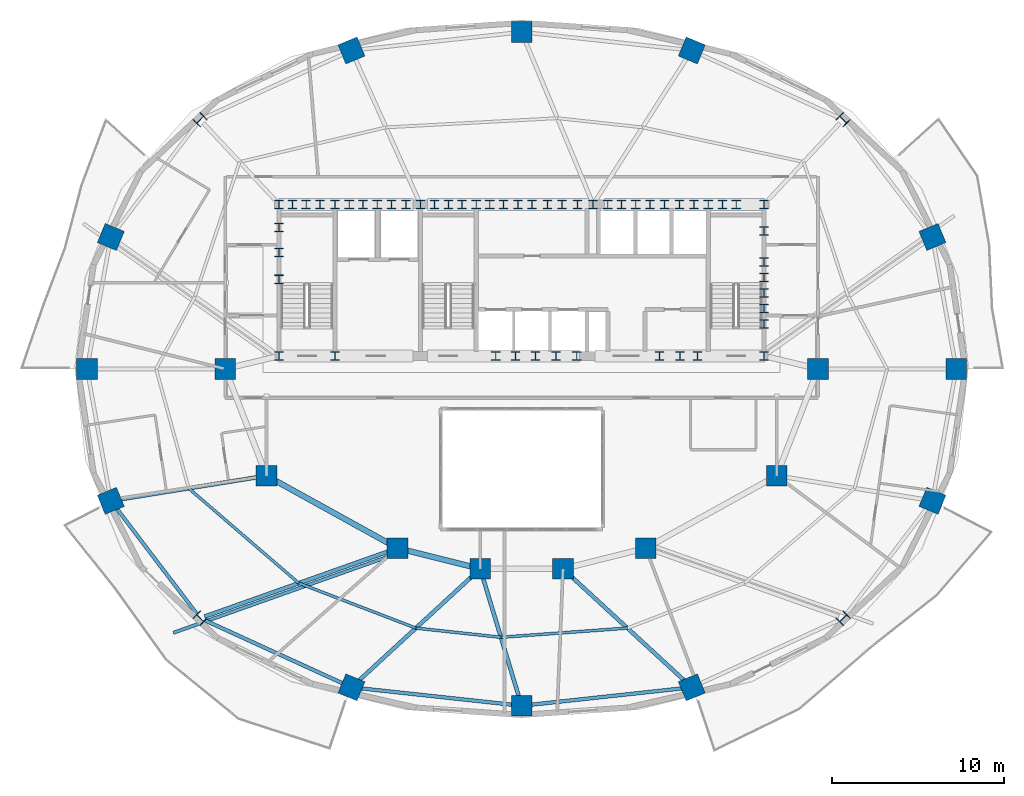
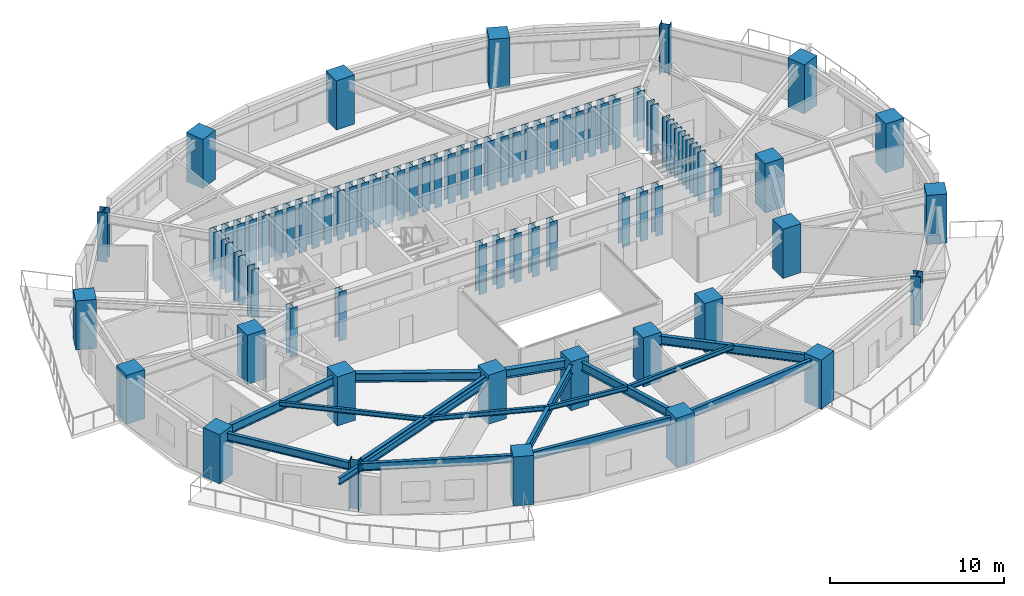
# One storey, part 1 of 12: 78 columns, 16 beams.
"""IFC4 building model written with IfcOpenShell, lengths in metres."""

from ifc_helpers import new_model, si_unit, direction, frame, origin, origin_2d, place, context, subcontext, project, spatial, rectangle, i_section, extrude, material, material_profile, profile_set, type_object, element, save


model = new_model("IFC4")

# Units and contexts
model_context = context("Model", 3, precision=1e-05, world=origin(), true_north=direction((0.0, 1.0)))
body_context = subcontext(model_context, "Body", "Model", "MODEL_VIEW")
ifc_project = project(units=[si_unit("LENGTHUNIT", "METRE"), si_unit("AREAUNIT", "SQUARE_METRE"), si_unit("VOLUMEUNIT", "CUBIC_METRE"), si_unit("PLANEANGLEUNIT", "RADIAN"), si_unit("MASSUNIT", "GRAM", prefix="KILO")], contexts=[model_context])

# Site, building, storey
site_placement = place(None, origin())
site = spatial("IfcSite", under=ifc_project, at=site_placement, CompositionType="ELEMENT")
building_placement = place(site_placement, origin())
building = spatial("IfcBuilding", under=site, at=building_placement, Name="Haldorwick Loom Tower", CompositionType="ELEMENT")
storey_placement = place(building_placement, frame((0.0, 0.0, 161.35009765625)))
storey = spatial("IfcBuildingStorey", under=building, at=storey_placement, Name="L43", CompositionType="ELEMENT", Elevation=161.35009765625)

# Columns
ifc_material_1 = material(Name="Concrete C60 (60 MPa)", Category="concrete")
ifc_material_profile_1 = material_profile(ifc_material_1, rectangle(XDim=1.199951171875, YDim=1.199951171875, at=origin_2d()), Name="RC1200X1200", Category="concrete")
ifc_profile_set_1 = profile_set([ifc_material_profile_1], Name="Concrete C60 (60 MPa)")
column_type_1 = type_object("IfcColumnType", Name="STR-COL-RC1200", PredefinedType="COLUMN", material=ifc_profile_set_1)
for number, where, z_axis, x_axis, name in (
    (1, (53.199951171875, 26.0, 0.0), (0.0, 0.0, 1.0), (1.0, 0.0, 0.0), "L43 Inner Column IC-01"),
    (2, (50.800048828125, 19.800048828125, 0.0), (0.0, 0.0, 1.0), (1.0, 0.0, 0.0), "L43 Inner Column IC-02"),
    (3, (43.199951171875, 15.60009765625, 0.0), (0.0, 0.0, 1.0), (1.0, 0.0, 0.0), "L43 Inner Column IC-03"),
    (4, (38.39990234375, 14.39990234375, 0.0), (0.0, 0.0, 1.0), (1.0, 0.0, 0.0), "L43 Inner Column IC-04"),
    (5, (33.60009765625, 14.39990234375, 0.0), (0.0, 0.0, 1.0), (1.0, 0.0, 0.0), "L43 Inner Column IC-05"),
    (6, (28.800048828125, 15.60009765625, 0.0), (0.0, 0.0, 1.0), (1.0, 0.0, 0.0), "L43 Inner Column IC-06"),
    (7, (21.199951171875, 19.800048828125, 0.0), (0.0, 0.0, 1.0), (1.0, 0.0, 0.0), "L43 Inner Column IC-07"),
    (8, (18.800048828125, 26.0, 0.0), (0.0, 0.0, 1.0), (1.0, 0.0, 0.0), "L43 Inner Column IC-08"),
    (9, (61.217041015625, 26.0, 0.0), (0.0, 0.0, 1.0), (1.0, 0.0, 0.0), "L43 Perimeter Pier Column P01"),
    (10, (59.836181640625, 33.65380859375, 0.0), (0.0, 0.0, 1.0), (0.923879532511, 0.382683432365, 0.0), "L43 Perimeter Pier Column P02"),
    (11, (45.873291015625, 44.4775390625, 0.0), (0.0, 0.0, 1.0), (0.382683432365, 0.923879532511, 0.0), "L43 Perimeter Pier Column P04"),
    (12, (36.0, 45.544677734375, 0.0), (0.0, 0.0, 1.0), (0.0, 1.0, 0.0), "L43 Perimeter Pier Column P05"),
    (13, (26.126708984375, 44.4775390625, 0.0), (0.0, 0.0, 1.0), (-0.382683432365, 0.923879532511, 0.0), "L43 Perimeter Pier Column P06"),
    (14, (12.163818359375, 33.65380859375, 0.0), (0.0, 0.0, 1.0), (-0.923879532511, 0.382683432365, 0.0), "L43 Perimeter Pier Column P08"),
    (15, (10.782958984375, 26.0, 0.0), (0.0, 0.0, 1.0), (-1.0, 0.0, 0.0), "L43 Perimeter Pier Column P09"),
    (16, (12.163818359375, 18.34619140625, 0.0), (0.0, 0.0, 1.0), (-0.923879532511, -0.382683432365, 0.0), "L43 Perimeter Pier Column P10"),
    (17, (26.126708984375, 7.5224609375, 0.0), (0.0, 0.0, 1.0), (-0.382683432365, -0.923879532511, 0.0), "L43 Perimeter Pier Column P12"),
    (18, (36.0, 6.455322265625, 0.0), (0.0, 0.0, 1.0), (0.0, -1.0, 0.0), "L43 Perimeter Pier Column P13"),
    (19, (45.873291015625, 7.5224609375, 0.0), (0.0, 0.0, 1.0), (0.382683432365, -0.923879532511, 0.0), "L43 Perimeter Pier Column P14"),
    (20, (59.836181640625, 18.34619140625, 0.0), (0.0, 0.0, 1.0), (0.923879532511, -0.382683432365, 0.0), "L43 Perimeter Pier Column P16"),
):
    element("IfcColumn", number, at=place(storey_placement, frame(where, z_axis=z_axis, x_axis=x_axis)), inside=storey, type_object=column_type_1, Name=name, PredefinedType="COLUMN", context=body_context, shape_type="SweptSolid", body=[
        extrude(rectangle(XDim=1.199951171875, YDim=1.199951171875, at=origin_2d()), origin(), (0.0, 0.0, 1.0), 3.449951171875),
    ])
ifc_material_2 = material(Name="Steel CSA G40.21 350WT", Category="steel")
ifc_material_profile_2 = material_profile(ifc_material_2, i_section(OverallWidth=0.5, OverallDepth=0.5, WebThickness=0.02197265625, FlangeThickness=0.031982421875, at=origin_2d()), Name="WWF500X500", Category="steel")
ifc_profile_set_2 = profile_set([ifc_material_profile_2], Name="Steel CSA G40.21 350WT")
column_type_2 = type_object("IfcColumnType", Name="STR-COL-WWF500", PredefinedType="COLUMN", material=ifc_profile_set_2)
for number, where, z_axis, x_axis, name in (
    (21, (21.929931640625, 35.550048828125, 0.0), (0.0, 0.0, 1.0), (1.0, 0.0, 0.0), "L43 Core Pilaster CB-01"),
    (22, (23.5, 35.550048828125, 0.0), (0.0, 0.0, 1.0), (1.0, 0.0, 0.0), "L43 Core Pilaster CB-02"),
    (23, (25.169921875, 35.550048828125, 0.0), (0.0, 0.0, 1.0), (1.0, 0.0, 0.0), "L43 Core Pilaster CB-03"),
    (24, (26.800048828125, 35.550048828125, 0.0), (0.0, 0.0, 1.0), (1.0, 0.0, 0.0), "L43 Core Pilaster CB-04"),
    (25, (28.449951171875, 35.550048828125, 0.0), (0.0, 0.0, 1.0), (1.0, 0.0, 0.0), "L43 Core Pilaster CB-05"),
    (26, (30.1298828125, 35.550048828125, 0.0), (0.0, 0.0, 1.0), (1.0, 0.0, 0.0), "L43 Core Pilaster CB-06"),
    (27, (31.75, 35.550048828125, 0.0), (0.0, 0.0, 1.0), (1.0, 0.0, 0.0), "L43 Core Pilaster CB-07"),
    (28, (33.3701171875, 35.550048828125, 0.0), (0.0, 0.0, 1.0), (1.0, 0.0, 0.0), "L43 Core Pilaster CB-08"),
    (29, (34.949951171875, 35.550048828125, 0.0), (0.0, 0.0, 1.0), (1.0, 0.0, 0.0), "L43 Core Pilaster CB-09"),
    (30, (36.60009765625, 35.550048828125, 0.0), (0.0, 0.0, 1.0), (1.0, 0.0, 0.0), "L43 Core Pilaster CB-10"),
    (31, (38.35009765625, 35.550048828125, 0.0), (0.0, 0.0, 1.0), (1.0, 0.0, 0.0), "L43 Core Pilaster CB-11"),
    (32, (40.14990234375, 35.550048828125, 0.0), (0.0, 0.0, 1.0), (1.0, 0.0, 0.0), "L43 Core Pilaster CB-12"),
    (33, (41.800048828125, 35.550048828125, 0.0), (0.0, 0.0, 1.0), (1.0, 0.0, 0.0), "L43 Core Pilaster CB-13"),
    (34, (43.449951171875, 35.550048828125, 0.0), (0.0, 0.0, 1.0), (1.0, 0.0, 0.0), "L43 Core Pilaster CB-14"),
    (35, (45.14990234375, 35.550048828125, 0.0), (0.0, 0.0, 1.0), (1.0, 0.0, 0.0), "L43 Core Pilaster CB-15"),
    (36, (46.830078125, 35.550048828125, 0.0), (0.0, 0.0, 1.0), (1.0, 0.0, 0.0), "L43 Core Pilaster CB-16"),
    (37, (48.449951171875, 35.550048828125, 0.0), (0.0, 0.0, 1.0), (1.0, 0.0, 0.0), "L43 Core Pilaster CB-17"),
    (38, (50.070068359375, 35.550048828125, 0.0), (0.0, 0.0, 1.0), (1.0, 0.0, 0.0), "L43 Core Pilaster CB-18"),
    (39, (21.929931640625, 26.75, 0.0), (0.0, 0.0, 1.0), (1.0, 0.0, 0.0), "L43 Core Pilaster CB-19"),
    (40, (25.169921875, 26.75, 0.0), (0.0, 0.0, 1.0), (1.0, 0.0, 0.0), "L43 Core Pilaster CB-20"),
    (41, (34.5, 26.75, 0.0), (0.0, 0.0, 1.0), (1.0, 0.0, 0.0), "L43 Core Pilaster CB-21"),
    (42, (36.800048828125, 26.75, 0.0), (0.0, 0.0, 1.0), (1.0, 0.0, 0.0), "L43 Core Pilaster CB-22"),
    (43, (39.199951171875, 26.75, 0.0), (0.0, 0.0, 1.0), (1.0, 0.0, 0.0), "L43 Core Pilaster CB-23"),
    (44, (45.199951171875, 26.75, 0.0), (0.0, 0.0, 1.0), (1.0, 0.0, 0.0), "L43 Core Pilaster CB-24"),
    (45, (50.070068359375, 26.75, 0.0), (0.0, 0.0, 1.0), (1.0, 0.0, 0.0), "L43 Core Pilaster CB-25"),
    (46, (21.929931640625, 31.199951171875, 0.0), (0.0, 0.0, 1.0), (1.0, 0.0, 0.0), "L43 Core Pilaster CB-26"),
    (47, (21.929931640625, 32.75, 0.0), (0.0, 0.0, 1.0), (1.0, 0.0, 0.0), "L43 Core Pilaster CB-27"),
    (48, (21.929931640625, 34.199951171875, 0.0), (0.0, 0.0, 1.0), (1.0, 0.0, 0.0), "L43 Core Pilaster CB-28"),
    (49, (50.070068359375, 28.60009765625, 0.0), (0.0, 0.0, 1.0), (1.0, 0.0, 0.0), "L43 Core Pilaster CB-29"),
    (50, (50.070068359375, 30.39990234375, 0.0), (0.0, 0.0, 1.0), (1.0, 0.0, 0.0), "L43 Core Pilaster CB-30"),
    (51, (50.070068359375, 32.199951171875, 0.0), (0.0, 0.0, 1.0), (1.0, 0.0, 0.0), "L43 Core Pilaster CB-31"),
    (52, (50.070068359375, 34.0, 0.0), (0.0, 0.0, 1.0), (1.0, 0.0, 0.0), "L43 Core Pilaster CB-32"),
    (53, (22.699951171875, 35.550048828125, 0.0), (0.0, 0.0, 1.0), (1.0, 0.0, 0.0), "L43 Core Pilaster CB-33"),
    (54, (27.6201171875, 35.550048828125, 0.0), (0.0, 0.0, 1.0), (1.0, 0.0, 0.0), "L43 Core Pilaster CB-34"),
    (55, (32.550048828125, 35.550048828125, 0.0), (0.0, 0.0, 1.0), (1.0, 0.0, 0.0), "L43 Core Pilaster CB-35"),
    (56, (37.5, 35.550048828125, 0.0), (0.0, 0.0, 1.0), (1.0, 0.0, 0.0), "L43 Core Pilaster CB-36"),
    (57, (42.6201171875, 35.550048828125, 0.0), (0.0, 0.0, 1.0), (1.0, 0.0, 0.0), "L43 Core Pilaster CB-37"),
    (58, (47.64990234375, 35.550048828125, 0.0), (0.0, 0.0, 1.0), (1.0, 0.0, 0.0), "L43 Core Pilaster CB-38"),
    (59, (24.300048828125, 35.550048828125, 0.0), (0.0, 0.0, 1.0), (1.0, 0.0, 0.0), "L43 Core Pilaster CB-39"),
    (60, (26.0, 35.550048828125, 0.0), (0.0, 0.0, 1.0), (1.0, 0.0, 0.0), "L43 Core Pilaster CB-40"),
    (61, (29.300048828125, 35.550048828125, 0.0), (0.0, 0.0, 1.0), (1.0, 0.0, 0.0), "L43 Core Pilaster CB-41"),
    (62, (30.949951171875, 35.550048828125, 0.0), (0.0, 0.0, 1.0), (1.0, 0.0, 0.0), "L43 Core Pilaster CB-42"),
    (63, (34.14990234375, 35.550048828125, 0.0), (0.0, 0.0, 1.0), (1.0, 0.0, 0.0), "L43 Core Pilaster CB-43"),
    (64, (35.800048828125, 35.550048828125, 0.0), (0.0, 0.0, 1.0), (1.0, 0.0, 0.0), "L43 Core Pilaster CB-44"),
    (65, (39.25, 35.550048828125, 0.0), (0.0, 0.0, 1.0), (1.0, 0.0, 0.0), "L43 Core Pilaster CB-45"),
    (66, (41.0, 35.550048828125, 0.0), (0.0, 0.0, 1.0), (1.0, 0.0, 0.0), "L43 Core Pilaster CB-46"),
    (67, (44.300048828125, 35.550048828125, 0.0), (0.0, 0.0, 1.0), (1.0, 0.0, 0.0), "L43 Core Pilaster CB-47"),
    (68, (46.0, 35.550048828125, 0.0), (0.0, 0.0, 1.0), (1.0, 0.0, 0.0), "L43 Core Pilaster CB-48"),
    (69, (50.070068359375, 29.5, 0.0), (0.0, 0.0, 1.0), (1.0, 0.0, 0.0), "L43 Core Pilaster CB-49"),
    (70, (50.070068359375, 31.300048828125, 0.0), (0.0, 0.0, 1.0), (1.0, 0.0, 0.0), "L43 Core Pilaster CB-50"),
    (71, (35.64990234375, 26.75, 0.0), (0.0, 0.0, 1.0), (1.0, 0.0, 0.0), "L43 Core Pilaster CB-51"),
    (72, (38.0, 26.75, 0.0), (0.0, 0.0, 1.0), (1.0, 0.0, 0.0), "L43 Core Pilaster CB-52"),
    (73, (44.0, 26.75, 0.0), (0.0, 0.0, 1.0), (1.0, 0.0, 0.0), "L43 Core Pilaster CB-53"),
    (74, (46.199951171875, 26.75, 0.0), (0.0, 0.0, 1.0), (1.0, 0.0, 0.0), "L43 Core Pilaster CB-54"),
):
    element("IfcColumn", number, at=place(storey_placement, frame(where, z_axis=z_axis, x_axis=x_axis)), inside=storey, type_object=column_type_2, Name=name, PredefinedType="COLUMN", context=body_context, shape_type="SweptSolid", body=[
        extrude(i_section(OverallWidth=0.5, OverallDepth=0.5, WebThickness=0.02197265625, FlangeThickness=0.031982421875, at=origin_2d()), origin(), (0.0, 0.0, 1.0), 3.449951171875),
    ])
ifc_material_profile_3 = material_profile(ifc_material_2, i_section(OverallWidth=0.60009765625, OverallDepth=0.60009765625, WebThickness=0.02490234375, FlangeThickness=0.035888671875, at=origin_2d()), Name="WWF600X600", Category="steel")
ifc_profile_set_3 = profile_set([ifc_material_profile_3], Name="Steel CSA G40.21 350WT")
column_type_3 = type_object("IfcColumnType", Name="STR-COL-WWF600", PredefinedType="COLUMN", material=ifc_profile_set_3)
for number, where, z_axis, x_axis, name in (
    (75, (54.655517578125, 40.464111328125, 0.0), (0.0, 0.0, 1.0), (0.707106781187, 0.707106781187, 0.0), "L43 Perimeter Pier Column P03"),
    (76, (17.344482421875, 40.464111328125, 0.0), (0.0, 0.0, 1.0), (-0.707106781187, 0.707106781187, 0.0), "L43 Perimeter Pier Column P07"),
    (77, (17.344482421875, 11.535888671875, 0.0), (0.0, 0.0, 1.0), (-0.707106781187, -0.707106781187, 0.0), "L43 Perimeter Pier Column P11"),
    (78, (54.655517578125, 11.535888671875, 0.0), (0.0, 0.0, 1.0), (0.707106781187, -0.707106781187, 0.0), "L43 Perimeter Pier Column P15"),
):
    element("IfcColumn", number, at=place(storey_placement, frame(where, z_axis=z_axis, x_axis=x_axis)), inside=storey, type_object=column_type_3, Name=name, PredefinedType="COLUMN", context=body_context, shape_type="SweptSolid", body=[
        extrude(i_section(OverallWidth=0.60009765625, OverallDepth=0.60009765625, WebThickness=0.02490234375, FlangeThickness=0.035888671875, at=origin_2d()), origin(), (0.0, 0.0, 1.0), 3.449951171875),
    ])

# Beams
ifc_material_3 = material(Name="Steel CSA G40.21 350W", Category="steel")
ifc_material_profile_4 = material_profile(ifc_material_3, i_section(OverallWidth=0.193115234375, OverallDepth=0.466064453125, WebThickness=0.011474609375, FlangeThickness=0.01904296875, at=origin_2d()), Name="W460X97", Category="steel")
ifc_profile_set_4 = profile_set([ifc_material_profile_4], Name="Steel CSA G40.21 350W")
beam_type_1 = type_object("IfcBeamType", Name="STR-BM-BAL460", PredefinedType="BEAM", material=ifc_profile_set_4)
beam_1_placement = place(storey_placement, frame((28.403564453125, 15.162109375, 2.976806640625), z_axis=(-0.942447955832, -0.334352883266, 0.0), x_axis=(0.334352883266, -0.942447955832, 0.0)))
element("IfcBeam", 79, at=beam_1_placement, inside=storey, type_object=beam_type_1, Name="L43 Continuous Back-Spanned Balcony Beam 2", PredefinedType="BEAM", context=body_context, shape_type="SweptSolid", body=[
    extrude(i_section(OverallWidth=0.193115234375, OverallDepth=0.466064453125, WebThickness=0.011474609375, FlangeThickness=0.01904296875, at=origin_2d()), origin(), (0.0, 0.0, 1.0), 13.385009765625),
])
ifc_material_profile_5 = material_profile(ifc_material_3, i_section(OverallWidth=0.166015625, OverallDepth=0.31298828125, WebThickness=0.006591796875, FlangeThickness=0.01123046875, at=origin_2d()), Name="W310X45", Category="steel")
ifc_profile_set_5 = profile_set([ifc_material_profile_5], Name="Steel CSA G40.21 350W")
beam_type_2 = type_object("IfcBeamType", Name="STR-BM-J310", PredefinedType="JOIST", material=ifc_profile_set_5)
beam_2_placement = place(storey_placement, frame((16.681884765625, 19.072998046875, 3.053466796875), z_axis=(0.75763401328, -0.652679631918, 0.0), x_axis=(0.652679631918, 0.75763401328, 0.0)))
element("IfcBeam", 80, at=beam_2_placement, inside=storey, type_object=beam_type_2, Name="L43 Mid-Bay Secondary Joist 10", PredefinedType="JOIST", context=body_context, shape_type="SweptSolid", body=[
    extrude(i_section(OverallWidth=0.166015625, OverallDepth=0.31298828125, WebThickness=0.006591796875, FlangeThickness=0.01123046875, at=origin_2d()), origin(), (0.0, 0.0, 1.0), 8.4345703125),
])
beam_3_placement = place(storey_placement, frame((23.072265625, 13.56787109375, 3.053466796875), z_axis=(0.933586737031, -0.358351509609, 0.0), x_axis=(0.358351509609, 0.933586737031, 0.0)))
element("IfcBeam", 81, at=beam_3_placement, inside=storey, type_object=beam_type_2, Name="L43 Mid-Bay Secondary Joist 11", PredefinedType="JOIST", context=body_context, shape_type="SweptSolid", body=[
    extrude(i_section(OverallWidth=0.166015625, OverallDepth=0.31298828125, WebThickness=0.006591796875, FlangeThickness=0.01123046875, at=origin_2d()), origin(), (0.0, 0.0, 1.0), 7.274169921875),
])
beam_4_placement = place(storey_placement, frame((29.86328125, 10.961181640625, 3.053466796875), z_axis=(0.994212584227, -0.107430616514, 0.0), x_axis=(0.107430616514, 0.994212584227, 0.0)))
element("IfcBeam", 82, at=beam_4_placement, inside=storey, type_object=beam_type_2, Name="L43 Mid-Bay Secondary Joist 12", PredefinedType="JOIST", context=body_context, shape_type="SweptSolid", body=[
    extrude(i_section(OverallWidth=0.166015625, OverallDepth=0.31298828125, WebThickness=0.006591796875, FlangeThickness=0.01123046875, at=origin_2d()), origin(), (0.0, 0.0, 1.0), 4.965576171875),
])
beam_5_placement = place(storey_placement, frame((34.800048828125, 10.427734375, 3.053466796875), z_axis=(0.997367082818, 0.072518288109, 0.0), x_axis=(-0.072518288109, 0.997367082818, 0.0)))
element("IfcBeam", 83, at=beam_5_placement, inside=storey, type_object=beam_type_2, Name="L43 Mid-Bay Secondary Joist 13", PredefinedType="JOIST", context=body_context, shape_type="SweptSolid", body=[
    extrude(i_section(OverallWidth=0.166015625, OverallDepth=0.31298828125, WebThickness=0.006591796875, FlangeThickness=0.01123046875, at=origin_2d()), origin(), (0.0, 0.0, 1.0), 7.35595703125),
])
ifc_material_profile_6 = material_profile(ifc_material_3, i_section(OverallWidth=0.2119140625, OverallDepth=0.5439453125, WebThickness=0.01318359375, FlangeThickness=0.021240234375, at=origin_2d()), Name="W530X123", Category="steel")
ifc_profile_set_6 = profile_set([ifc_material_profile_6], Name="Steel CSA G40.21 350W")
beam_type_3 = type_object("IfcBeamType", Name="STR-BM-SP530", PredefinedType="SPANDREL", material=ifc_profile_set_6)
beam_6_placement = place(storey_placement, frame((12.478759765625, 17.932373046875, 2.93798828125), z_axis=(0.605421356486, -0.795905133236, 0.0), x_axis=(0.795905133236, 0.605421356486, 0.0)))
element("IfcBeam", 84, at=beam_6_placement, inside=storey, type_object=beam_type_3, Name="L43 Perimeter Spandrel 10", PredefinedType="SPANDREL", context=body_context, shape_type="SweptSolid", body=[
    extrude(i_section(OverallWidth=0.2119140625, OverallDepth=0.5439453125, WebThickness=0.01318359375, FlangeThickness=0.021240234375, at=origin_2d()), origin(), (0.0, 0.0, 1.0), 7.761962890625),
])
beam_7_placement = place(storey_placement, frame((17.594482421875, 11.42138671875, 2.93798828125), z_axis=(0.909534296496, -0.415628877121, 0.0), x_axis=(0.415628877121, 0.909534296496, 0.0)))
element("IfcBeam", 85, at=beam_7_placement, inside=storey, type_object=beam_type_3, Name="L43 Perimeter Spandrel 11", PredefinedType="SPANDREL", context=body_context, shape_type="SweptSolid", body=[
    extrude(i_section(OverallWidth=0.2119140625, OverallDepth=0.5439453125, WebThickness=0.01318359375, FlangeThickness=0.021240234375, at=origin_2d()), origin(), (0.0, 0.0, 1.0), 8.86083984375),
])
for number, where, z_axis, x_axis, name in (
    (86, (26.643798828125, 7.466552734375, 2.93798828125), (0.994210140187, -0.107453232386, 0.0), (0.107453232386, 0.994210140187, 0.0), "L43 Perimeter Spandrel 12"),
    (87, (36.51708984375, 6.51123046875, 2.93798828125), (0.994210140187, 0.107453232386, 0.0), (-0.107453232386, 0.994210140187, 0.0), "L43 Perimeter Spandrel 13"),
):
    element("IfcBeam", number, at=place(storey_placement, frame(where, z_axis=z_axis, x_axis=x_axis)), inside=storey, type_object=beam_type_3, Name=name, PredefinedType="SPANDREL", context=body_context, shape_type="SweptSolid", body=[
        extrude(i_section(OverallWidth=0.2119140625, OverallDepth=0.5439453125, WebThickness=0.01318359375, FlangeThickness=0.021240234375, at=origin_2d()), origin(), (0.0, 0.0, 1.0), 8.890625),
    ])
ifc_material_profile_7 = material_profile(ifc_material_3, i_section(OverallWidth=0.324951171875, OverallDepth=0.615966796875, WebThickness=0.013916015625, FlangeThickness=0.021484375, at=origin_2d()), Name="W610X174", Category="steel")
ifc_profile_set_7 = profile_set([ifc_material_profile_7], Name="Steel CSA G40.21 350W")
beam_type_4 = type_object("IfcBeamType", Name="STR-BM-W610A", PredefinedType="BEAM", material=ifc_profile_set_7)
beam_8_placement = place(storey_placement, frame((33.095458984375, 14.526123046875, 2.90185546875), z_axis=(-0.970142500145, 0.242535625036, 0.0), x_axis=(-0.242535625036, -0.970142500145, 0.0)))
element("IfcBeam", 88, at=beam_8_placement, inside=storey, type_object=beam_type_4, Name="L43 Inner Ring Girder 6", PredefinedType="BEAM", context=body_context, shape_type="SweptSolid", body=[
    extrude(i_section(OverallWidth=0.324951171875, OverallDepth=0.615966796875, WebThickness=0.013916015625, FlangeThickness=0.021484375, at=origin_2d()), origin(), (0.0, 0.0, 1.0), 3.90771484375),
])
beam_9_placement = place(storey_placement, frame((28.344970703125, 15.8515625, 2.90185546875), z_axis=(-0.875244382146, 0.483680960471, 0.0), x_axis=(-0.483680960471, -0.875244382146, 0.0)))
element("IfcBeam", 89, at=beam_9_placement, inside=storey, type_object=beam_type_4, Name="L43 Inner Ring Girder 7", PredefinedType="BEAM", context=body_context, shape_type="SweptSolid", body=[
    extrude(i_section(OverallWidth=0.324951171875, OverallDepth=0.615966796875, WebThickness=0.013916015625, FlangeThickness=0.021484375, at=origin_2d()), origin(), (0.0, 0.0, 1.0), 7.6435546875),
])
ifc_material_profile_8 = material_profile(ifc_material_3, i_section(OverallWidth=0.22998046875, OverallDepth=0.616943359375, WebThickness=0.01318359375, FlangeThickness=0.022216796875, at=origin_2d()), Name="W610X140", Category="steel")
ifc_profile_set_8 = profile_set([ifc_material_profile_8], Name="Steel CSA G40.21 350W")
beam_type_5 = type_object("IfcBeamType", Name="STR-BM-W610B", PredefinedType="BEAM", material=ifc_profile_set_8)
beam_10_placement = place(storey_placement, frame((20.6865234375, 19.71728515625, 2.9013671875), z_axis=(-0.987308639475, -0.158813256432, 0.0), x_axis=(0.158813256432, -0.987308639475, 0.0)))
element("IfcBeam", 90, at=beam_10_placement, inside=storey, type_object=beam_type_5, Name="L43 Radial Floor Girder 10", PredefinedType="BEAM", context=body_context, shape_type="SweptSolid", body=[
    extrude(i_section(OverallWidth=0.22998046875, OverallDepth=0.616943359375, WebThickness=0.01318359375, FlangeThickness=0.022216796875, at=origin_2d()), origin(), (0.0, 0.0, 1.0), 8.1123046875),
])
beam_11_placement = place(storey_placement, frame((28.309814453125, 15.426025390625, 2.9013671875), z_axis=(-0.9424463153, -0.334357507433, 0.0), x_axis=(0.334357507433, -0.9424463153, 0.0)))
element("IfcBeam", 91, at=beam_11_placement, inside=storey, type_object=beam_type_5, Name="L43 Radial Floor Girder 11", PredefinedType="BEAM", context=body_context, shape_type="SweptSolid", body=[
    extrude(i_section(OverallWidth=0.22998046875, OverallDepth=0.616943359375, WebThickness=0.01318359375, FlangeThickness=0.022216796875, at=origin_2d()), origin(), (0.0, 0.0, 1.0), 11.360107421875),
])
beam_12_placement = place(storey_placement, frame((33.21728515625, 14.0478515625, 2.9013671875), z_axis=(-0.735810902934, -0.677187060658, 0.0), x_axis=(0.677187060658, -0.735810902934, 0.0)))
element("IfcBeam", 92, at=beam_12_placement, inside=storey, type_object=beam_type_5, Name="L43 Radial Floor Girder 12", PredefinedType="BEAM", context=body_context, shape_type="SweptSolid", body=[
    extrude(i_section(OverallWidth=0.22998046875, OverallDepth=0.616943359375, WebThickness=0.01318359375, FlangeThickness=0.022216796875, at=origin_2d()), origin(), (0.0, 0.0, 1.0), 9.1162109375),
])
beam_13_placement = place(storey_placement, frame((33.75048828125, 13.902099609375, 2.9013671875), z_axis=(0.28917091681, -0.957277483738, 0.0), x_axis=(0.957277483738, 0.28917091681, 0.0)))
element("IfcBeam", 93, at=beam_13_placement, inside=storey, type_object=beam_type_5, Name="L43 Radial Floor Girder 13", PredefinedType="BEAM", context=body_context, shape_type="SweptSolid", body=[
    extrude(i_section(OverallWidth=0.22998046875, OverallDepth=0.616943359375, WebThickness=0.01318359375, FlangeThickness=0.022216796875, at=origin_2d()), origin(), (0.0, 0.0, 1.0), 7.259033203125),
])
beam_14_placement = place(storey_placement, frame((38.78271484375, 14.0478515625, 2.9013671875), z_axis=(0.735810902934, -0.677187060658, 0.0), x_axis=(0.677187060658, 0.735810902934, 0.0)))
element("IfcBeam", 94, at=beam_14_placement, inside=storey, type_object=beam_type_5, Name="L43 Radial Floor Girder 14", PredefinedType="BEAM", context=body_context, shape_type="SweptSolid", body=[
    extrude(i_section(OverallWidth=0.22998046875, OverallDepth=0.616943359375, WebThickness=0.01318359375, FlangeThickness=0.022216796875, at=origin_2d()), origin(), (0.0, 0.0, 1.0), 9.1162109375),
])

save(model, "model.ifc")
